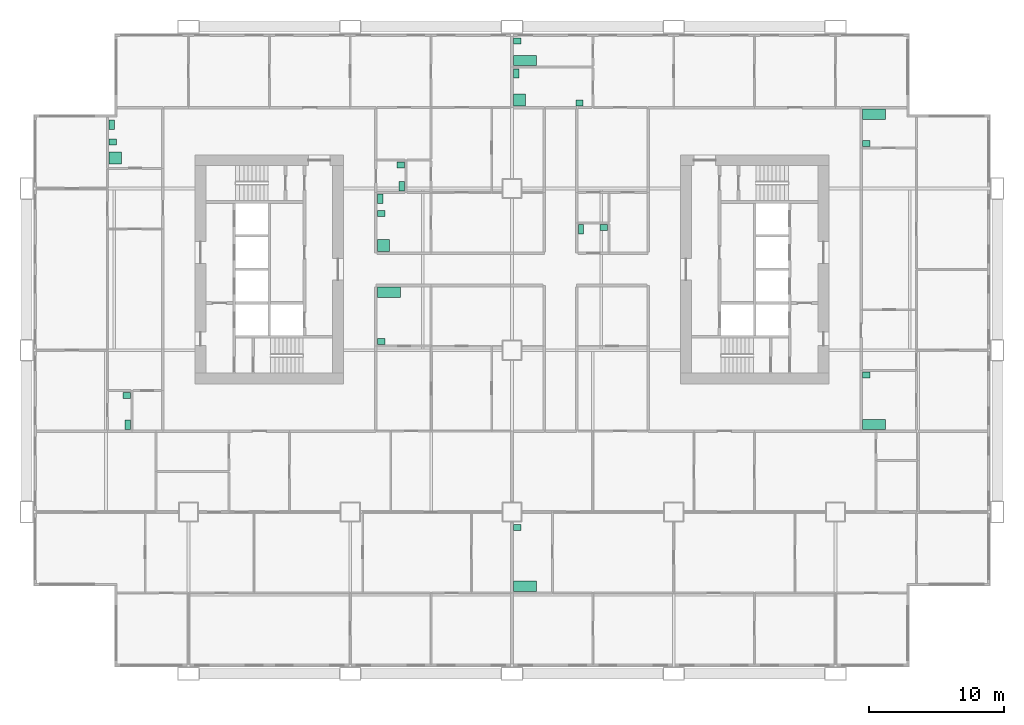
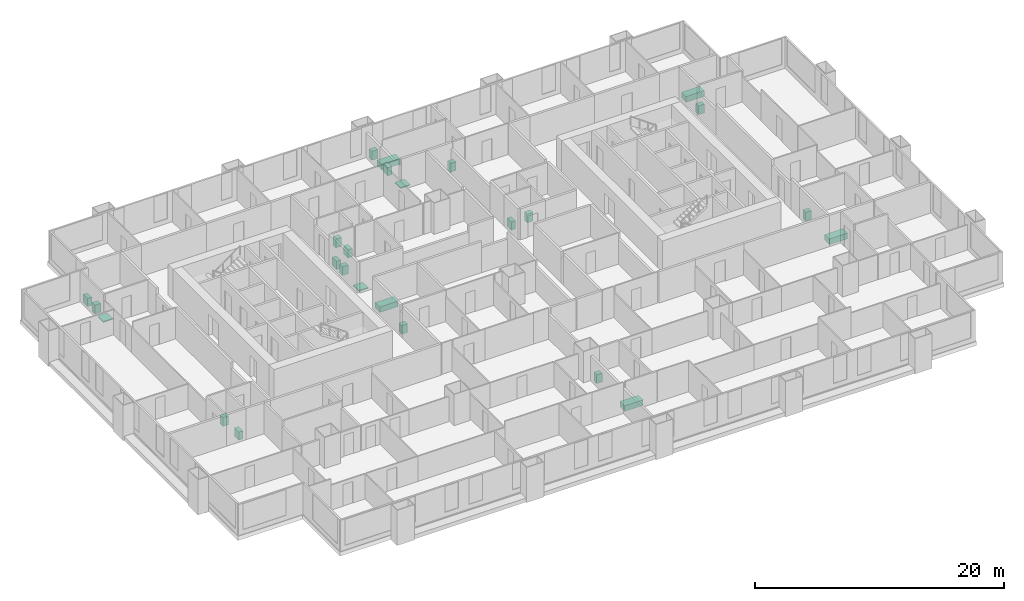
# One storey, part 14 of 14: 25 sanitary terminals.
"""IFC4 building model written with IfcOpenShell, lengths in metres."""

from ifc_helpers import new_model, si_unit, direction, frame, origin, origin_2d, place, context, subcontext, project, spatial, rectangle, extrude, material, type_object, element, save


model = new_model("IFC4")

# Units and contexts
model_context = context("Model", 3, precision=1e-05, world=origin(), true_north=direction((0.0, 1.0)))
body_context = subcontext(model_context, "Body", "Model", "MODEL_VIEW")
ifc_project = project(units=[si_unit("LENGTHUNIT", "METRE"), si_unit("AREAUNIT", "SQUARE_METRE"), si_unit("VOLUMEUNIT", "CUBIC_METRE"), si_unit("PLANEANGLEUNIT", "RADIAN"), si_unit("MASSUNIT", "GRAM", prefix="KILO")], contexts=[model_context])

# Site, building, storey
site_placement = place(None, origin())
site = spatial("IfcSite", under=ifc_project, at=site_placement, CompositionType="ELEMENT")
building_placement = place(site_placement, origin())
building = spatial("IfcBuilding", under=site, at=building_placement, Name="Kitamizu Gate Tower and Museum", CompositionType="ELEMENT")
storey_placement = place(building_placement, frame((0.0, 0.0, 85.199951171875)))
storey = spatial("IfcBuildingStorey", under=building, at=storey_placement, Name="L21", CompositionType="ELEMENT", Elevation=85.199951171875)

# Sanitary terminals
ifc_material_1 = material(Name="Acrylic")
sanitary_terminal_type_1 = type_object("IfcSanitaryTerminalType", Name="Bath", PredefinedType="BATH", material=ifc_material_1)
for number, where, z_axis, x_axis, name in (
    (1, (26.8701171875, 28.304931640625, 0.0009765625), (0.0, 0.0, 1.0), (1.0, 0.0, 0.0), "Bath Bathroom and WC 21A"),
    (2, (36.969970703125, 6.4951171875, 0.0009765625), (0.0, 0.0, 1.0), (1.0, 0.0, 0.0), "Bath Bathroom and WC 21D"),
    (3, (62.8701171875, 18.4951171875, 0.0009765625), (0.0, 0.0, 1.0), (1.0, 0.0, 0.0), "Bath Bathroom 21E"),
    (4, (62.8701171875, 41.5048828125, 0.0009765625), (0.0, 0.0, 1.0), (1.0, 0.0, 0.0), "Bath Bathroom and WC 21E"),
    (5, (36.969970703125, 45.4951171875, 0.0009765625), (0.0, 0.0, 1.0), (1.0, 0.0, 0.0), "Bath Bathroom 21F"),
):
    element("IfcSanitaryTerminal", number, at=place(storey_placement, frame(where, z_axis=z_axis, x_axis=x_axis)), inside=storey, type_object=sanitary_terminal_type_1, Name=name, PredefinedType="BATH", context=body_context, shape_type="SweptSolid", body=[
        extrude(rectangle(XDim=1.699951171875, YDim=0.75, at=origin_2d()), origin(), (0.0, 0.0, 1.0), 0.550048828125),
    ])
ifc_material_2 = material(Name="Acrylic")
sanitary_terminal_type_2 = type_object("IfcSanitaryTerminalType", Name="Shower tray", PredefinedType="SHOWER", material=ifc_material_2)
for number, where, z_axis, x_axis, name in (
    (6, (6.570068359375, 38.27001953125, 0.0009765625), (0.0, 0.0, 1.0), (1.0, 0.0, 0.0), "Shower tray En-suite bathroom 21B"),
    (7, (26.469970703125, 31.77001953125, 0.0009765625), (0.0, 0.0, 1.0), (1.0, 0.0, 0.0), "Shower tray En-suite bathroom 21C"),
    (8, (36.570068359375, 42.570068359375, 0.0009765625), (0.0, 0.0, 1.0), (1.0, 0.0, 0.0), "Shower tray En-suite bathroom 21F"),
):
    element("IfcSanitaryTerminal", number, at=place(storey_placement, frame(where, z_axis=z_axis, x_axis=x_axis)), inside=storey, type_object=sanitary_terminal_type_2, Name=name, PredefinedType="SHOWER", context=body_context, shape_type="SweptSolid", body=[
        extrude(rectangle(XDim=0.89990234375, YDim=0.89990234375, at=origin_2d()), origin(), (0.0, 0.0, 1.0), 0.10009765625),
    ])
ifc_material_3 = material(Name="Vitreous china")
sanitary_terminal_type_3 = type_object("IfcSanitaryTerminalType", Name="Wash hand basin", PredefinedType="WASHHANDBASIN", material=ifc_material_3)
for number, where, z_axis, x_axis, name in (
    (9, (26.294921875, 24.64501953125, 0.0009765625), (0.0, 0.0, 1.0), (1.0, 0.0, 0.0), "Wash hand basin Bathroom and WC 21A"),
    (10, (7.405029296875, 20.655029296875, 0.0009765625), (0.0, 0.0, 1.0), (1.0, 0.0, 0.0), "Wash hand basin WC 21B"),
    (11, (6.39501953125, 39.445068359375, 0.0009765625), (0.0, 0.0, 1.0), (1.0, 0.0, 0.0), "Wash hand basin En-suite bathroom 21B"),
    (12, (27.7548828125, 37.7548828125, 0.0009765625), (0.0, 0.0, 1.0), (1.0, 0.0, 0.0), "Wash hand basin WC 21C"),
    (13, (26.294921875, 34.155029296875, 0.0009765625), (0.0, 0.0, 1.0), (1.0, 0.0, 0.0), "Wash hand basin En-suite bathroom 21C"),
    (14, (36.39501953125, 10.85498046875, 0.0009765625), (0.0, 0.0, 1.0), (1.0, 0.0, 0.0), "Wash hand basin Bathroom and WC 21D"),
    (15, (62.294921875, 22.155029296875, 0.0009765625), (0.0, 0.0, 1.0), (1.0, 0.0, 0.0), "Wash hand basin Bathroom 21E"),
    (16, (62.294921875, 39.344970703125, 0.0009765625), (0.0, 0.0, 1.0), (1.0, 0.0, 0.0), "Wash hand basin Bathroom and WC 21E"),
    (17, (41.0048828125, 42.344970703125, 0.0009765625), (0.0, 0.0, 1.0), (1.0, 0.0, 0.0), "Wash hand basin En-suite bathroom 21F"),
    (18, (36.39501953125, 46.93505859375, 0.0009765625), (0.0, 0.0, 1.0), (1.0, 0.0, 0.0), "Wash hand basin Bathroom 21F"),
    (19, (42.804931640625, 33.10498046875, 0.0009765625), (0.0, 0.0, 1.0), (1.0, 0.0, 0.0), "Wash hand basin WC 21F"),
):
    element("IfcSanitaryTerminal", number, at=place(storey_placement, frame(where, z_axis=z_axis, x_axis=x_axis)), inside=storey, type_object=sanitary_terminal_type_3, Name=name, PredefinedType="WASHHANDBASIN", context=body_context, shape_type="SweptSolid", body=[
        extrude(rectangle(XDim=0.550048828125, YDim=0.449951171875, at=origin_2d()), origin(), (0.0, 0.0, 1.0), 0.85009765625),
    ])
ifc_material_4 = material(Name="Vitreous china")
sanitary_terminal_type_4 = type_object("IfcSanitaryTerminalType", Name="Water closet", PredefinedType="TOILETPAN", material=ifc_material_4)
for number, where, z_axis, x_axis, name in (
    (20, (7.47998046875, 18.469970703125, 0.0009765625), (0.0, 0.0, 1.0), (1.0, 0.0, 0.0), "Water closet WC 21B"),
    (21, (6.320068359375, 40.72998046875, 0.0009765625), (0.0, 0.0, 1.0), (1.0, 0.0, 0.0), "Water closet En-suite bathroom 21B"),
    (22, (27.830078125, 36.169921875, 0.0009765625), (0.0, 0.0, 1.0), (1.0, 0.0, 0.0), "Water closet WC 21C"),
    (23, (26.219970703125, 35.22998046875, 0.0009765625), (0.0, 0.0, 1.0), (1.0, 0.0, 0.0), "Water closet En-suite bathroom 21C"),
    (24, (36.320068359375, 44.530029296875, 0.0009765625), (0.0, 0.0, 1.0), (1.0, 0.0, 0.0), "Water closet En-suite bathroom 21F"),
    (25, (41.1201171875, 32.97998046875, 0.0009765625), (0.0, 0.0, 1.0), (1.0, 0.0, 0.0), "Water closet WC 21F"),
):
    element("IfcSanitaryTerminal", number, at=place(storey_placement, frame(where, z_axis=z_axis, x_axis=x_axis)), inside=storey, type_object=sanitary_terminal_type_4, Name=name, PredefinedType="TOILETPAN", context=body_context, shape_type="SweptSolid", body=[
        extrude(rectangle(XDim=0.39990234375, YDim=0.699951171875, at=origin_2d()), origin(), (0.0, 0.0, 1.0), 0.800048828125),
    ])

save(model, "model.ifc")
